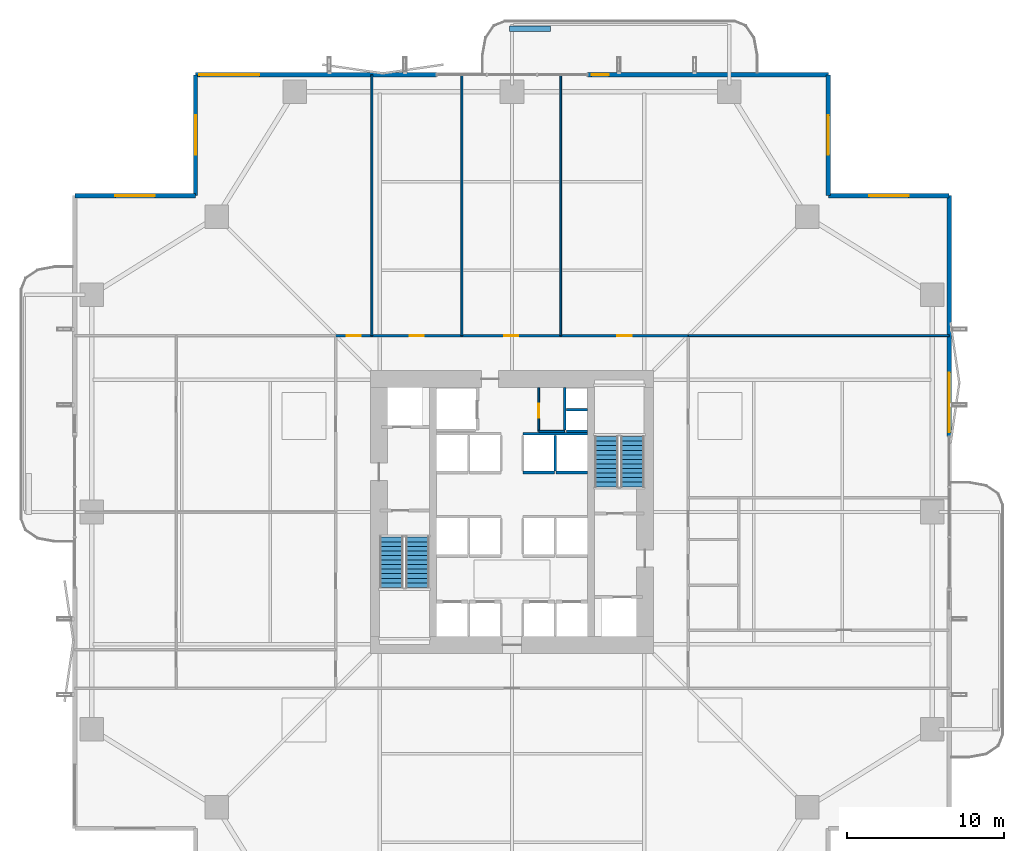
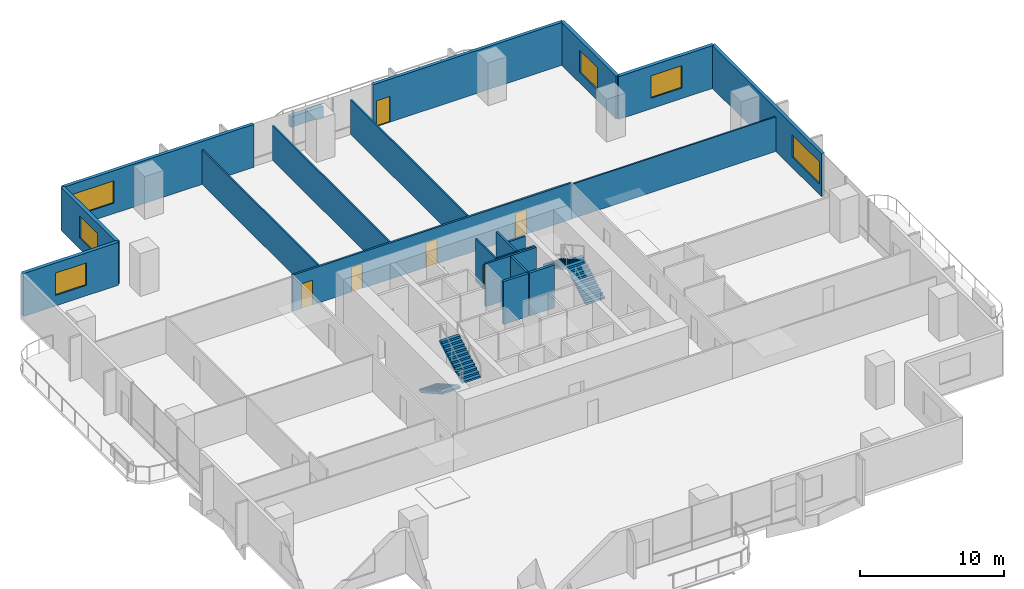
# One storey, part 19 of 23: 22 walls, 6 doors, 6 windows, 4 stair flights, 12 openings, 2 elements without a shape of their own.
"""IFC4 building model written with IfcOpenShell, lengths in metres."""

from ifc_helpers import new_model, si_unit, direction, frame, frame_2d, origin, place, context, subcontext, project, spatial, polyline, rectangle, outline, extrude, material, layer, layer_set, type_object, element, fill, aggregate, save


model = new_model("IFC4")

# Units and contexts
model_context = context("Model", 3, precision=1e-05, world=origin(), true_north=direction((0.0, 1.0)))
body_context = subcontext(model_context, "Body", "Model", "MODEL_VIEW")
ifc_project = project(units=[si_unit("LENGTHUNIT", "METRE"), si_unit("AREAUNIT", "SQUARE_METRE"), si_unit("VOLUMEUNIT", "CUBIC_METRE"), si_unit("PLANEANGLEUNIT", "RADIAN"), si_unit("MASSUNIT", "GRAM", prefix="KILO")], contexts=[model_context])

# Site, building, storey
site_placement = place(None, origin())
site = spatial("IfcSite", under=ifc_project, at=site_placement, CompositionType="ELEMENT")
building_placement = place(site_placement, origin())
building = spatial("IfcBuilding", under=site, at=building_placement, Name="Belovzor Exchange Tower", CompositionType="ELEMENT")
storey_placement = place(building_placement, frame((0.0, 0.0, 100.199951171875)))
storey = spatial("IfcBuildingStorey", under=building, at=storey_placement, Name="L24", CompositionType="ELEMENT", Elevation=100.199951171875)

# Walls
ifc_material_1 = material(Name="Acoustic Plasterboard on Galvanised Studs", Category="gypsum")
ifc_layer_1 = layer(ifc_material_1, 0.1201171875)
ifc_layer_set_1 = layer_set([ifc_layer_1], Name="Acoustic Plasterboard on Galvanised Studs")
wall_type_1 = type_object("IfcWallType", Name="Acoustic Double-Stud Partition Wall 120", PredefinedType="PARTITIONING", material=ifc_layer_set_1)
for number, where, z_axis, x_axis, name in (
    (1, (19.89990234375, 40.0, 0.0), (0.0, 0.0, 1.0), (0.0, 1.0, 0.0), "W-P120 Partition Wall W-L24-NDIV-1"),
    (2, (25.612060546875, 40.0, 0.0), (0.0, 0.0, 1.0), (0.0, 1.0, 0.0), "W-P120 Partition Wall W-L24-NDIV-2"),
    (3, (31.89697265625, 40.0, 0.0), (0.0, 0.0, 1.0), (0.0, 1.0, 0.0), "W-P120 Partition Wall W-L24-NDIV-3"),
    (4, (40.0, 40.0, 0.0), (0.0, 0.0, 1.0), (1.0, 0.0, 0.0), "W-P120 Partition Wall W-L24-END-NE"),
):
    element("IfcWall", number, at=place(storey_placement, frame(where, z_axis=z_axis, x_axis=x_axis)), inside=storey, type_object=wall_type_1, Name=name, PredefinedType="PARTITIONING", context=body_context, shape_type="SweptSolid", body=[
        extrude(rectangle(XDim=16.570068359375, YDim=0.1201171875, at=frame_2d((8.28515625, 0.0))), origin(), (0.0, 0.0, 1.0), 2.93505859375),
    ])

# Wall, opening, door
ifc_material_2 = material(Name="Fire-Rated Plasterboard on Galvanised Studs", Category="gypsum")
ifc_layer_2 = layer(ifc_material_2, 0.1201171875)
ifc_layer_set_2 = layer_set([ifc_layer_2], Name="Fire-Rated Plasterboard on Galvanised Studs")
wall_type_2 = type_object("IfcWallType", Name="Fire-Rated Double-Stud Partition Wall 120", PredefinedType="PARTITIONING", material=ifc_layer_set_2)
wall_1_placement = place(storey_placement, frame((30.5, 33.925048828125, 0.0), z_axis=(0.0, 0.0, 1.0), x_axis=(0.0, 1.0, 0.0)))
wall_1 = element("IfcWall", 5, at=wall_1_placement, inside=storey, type_object=wall_type_2, Name="W-P120F Partition Wall W-CRV-L24-W", PredefinedType="PARTITIONING", context=body_context, shape_type="SweptSolid", body=[
    extrude(rectangle(XDim=2.77490234375, YDim=0.1201171875, at=frame_2d((1.387451171875, 0.0))), origin(), (0.0, 0.0, 1.0), 3.650146484375),
])
opening_1_placement = place(wall_1_placement, frame((0.85009765625, 0.0, 0.0)))
opening_1 = element("IfcOpeningElement", 6, at=opening_1_placement, cuts=wall_1, Name="Opening D-FD60-090", PredefinedType="OPENING", context=body_context, shape_type="SweptSolid", body=[
    extrude(rectangle(XDim=0.89990234375, YDim=2.10009765625, at=frame_2d((0.449951171875, 1.050048828125))), frame((0.0, 0.070068359375, 0.0), z_axis=(0.0, -1.0, 0.0), x_axis=(1.0, 0.0, 0.0)), (0.0, 0.0, 1.0), 0.14013671875),
])
ifc_material_3 = material(Name="Acoustic Timber Fire Leaf", Category="wood")
door_type_1 = type_object("IfcDoorType", Name="Core Service & Restroom Fire Door 900x2100", OperationType="NOTDEFINED", PredefinedType="DOOR", material=ifc_material_3)
door_1_placement = place(opening_1_placement, origin())
door_1 = element("IfcDoor", 7, at=door_1_placement, inside=storey, type_object=door_type_1, Name="D-FD60-090 Core Service & Restroom Fire Door 900x2100", OperationType="SINGLE_SWING_LEFT", OverallHeight=2.10009765625, OverallWidth=0.89990234375, PredefinedType="DOOR", context=body_context, shape_type="SweptSolid", body=[
    extrude(rectangle(XDim=0.89990234375, YDim=2.10009765625, at=frame_2d((0.449951171875, 1.050048828125))), frame((0.0, 0.02490234375, 0.0), z_axis=(0.0, -1.0, 0.0), x_axis=(1.0, 0.0, 0.0)), (0.0, 0.0, 1.0), 0.050048828125),
])
fill(opening_1, door_1)

# Wall
wall_2_placement = place(storey_placement, frame((30.5, 33.925048828125, 0.0), z_axis=(0.0, 0.0, 1.0), x_axis=(1.0, 0.0, 0.0)))
element("IfcWall", 8, at=wall_2_placement, inside=storey, type_object=wall_type_2, Name="W-P120F Partition Wall W-CRV-L24-S", PredefinedType="PARTITIONING", context=body_context, shape_type="SweptSolid", body=[
    extrude(rectangle(XDim=1.64990234375, YDim=0.1201171875, at=frame_2d((0.824951171875, 0.0))), origin(), (0.0, 0.0, 1.0), 3.650146484375),
])

# Wall, openings, doors
ifc_material_4 = material(Name="Fire-Rated Gypsum Block and Mineral Wool", Category="gypsum")
ifc_layer_3 = layer(ifc_material_4, 0.14990234375)
ifc_layer_set_3 = layer_set([ifc_layer_3], Name="Fire-Rated Gypsum Block and Mineral Wool")
wall_type_3 = type_object("IfcWallType", Name="Fire-Rated Gypsum Block Corridor Wall 150", PredefinedType="PARTITIONING", material=ifc_layer_set_3)
wall_3_placement = place(storey_placement, frame((17.60009765625, 40.0, 0.0), z_axis=(0.0, 0.0, 1.0), x_axis=(1.0, 0.0, 0.0)))
wall_3 = element("IfcWall", 9, at=wall_3_placement, inside=storey, type_object=wall_type_3, Name="W-P150 Partition Wall W-L24-CN", PredefinedType="PARTITIONING", context=body_context, shape_type="SweptSolid", body=[
    extrude(rectangle(XDim=22.39990234375, YDim=0.14990234375, at=frame_2d((11.199951171875, 0.0))), origin(), (0.0, 0.0, 1.0), 3.0849609375),
])
opening_2_placement = place(wall_3_placement, frame((0.699951171875, 0.0, 0.0)))
opening_2 = element("IfcOpeningElement", 10, at=opening_2_placement, cuts=wall_3, Name="Opening D-INT-090", PredefinedType="OPENING", context=body_context, shape_type="SweptSolid", body=[
    extrude(rectangle(XDim=0.89990234375, YDim=2.10009765625, at=frame_2d((0.449951171875, 1.050048828125))), frame((0.0, 0.0849609375, 0.0), z_axis=(0.0, -1.0, 0.0), x_axis=(1.0, 0.0, 0.0)), (0.0, 0.0, 1.0), 0.169921875),
])
opening_3_placement = place(wall_3_placement, frame((4.7060546875, 0.0, 0.0)))
opening_3 = element("IfcOpeningElement", 11, at=opening_3_placement, cuts=wall_3, Name="Opening D-INT-090", PredefinedType="OPENING", context=body_context, shape_type="SweptSolid", body=[
    extrude(rectangle(XDim=0.89990234375, YDim=2.10009765625, at=frame_2d((0.449951171875, 1.050048828125))), frame((0.0, 0.0849609375, 0.0), z_axis=(0.0, -1.0, 0.0), x_axis=(1.0, 0.0, 0.0)), (0.0, 0.0, 1.0), 0.169921875),
])
opening_4_placement = place(wall_3_placement, frame((10.7041015625, 0.0, 0.0)))
opening_4 = element("IfcOpeningElement", 12, at=opening_4_placement, cuts=wall_3, Name="Opening D-INT-090", PredefinedType="OPENING", context=body_context, shape_type="SweptSolid", body=[
    extrude(rectangle(XDim=0.89990234375, YDim=2.10009765625, at=frame_2d((0.449951171875, 1.050048828125))), frame((0.0, 0.0849609375, 0.0), z_axis=(0.0, -1.0, 0.0), x_axis=(1.0, 0.0, 0.0)), (0.0, 0.0, 1.0), 0.169921875),
])
opening_5_placement = place(wall_3_placement, frame((17.89794921875, 0.0, 0.0)))
opening_5 = element("IfcOpeningElement", 13, at=opening_5_placement, cuts=wall_3, Name="Opening D-INT-090", PredefinedType="OPENING", context=body_context, shape_type="SweptSolid", body=[
    extrude(rectangle(XDim=0.89990234375, YDim=2.10009765625, at=frame_2d((0.449951171875, 1.050048828125))), frame((0.0, 0.0849609375, 0.0), z_axis=(0.0, -1.0, 0.0), x_axis=(1.0, 0.0, 0.0)), (0.0, 0.0, 1.0), 0.169921875),
])
ifc_material_5 = material(Name="Veneered Hardwood Acoustic Leaf", Category="wood")
door_type_2 = type_object("IfcDoorType", Name="Trading Suite Acoustic Single Door 900x2100", OperationType="NOTDEFINED", PredefinedType="DOOR", material=ifc_material_5)
door_2_placement = place(opening_2_placement, origin())
door_2 = element("IfcDoor", 14, at=door_2_placement, inside=storey, type_object=door_type_2, Name="D-INT-090 Trading Suite Acoustic Single Door 900x2100", OperationType="SINGLE_SWING_RIGHT", OverallHeight=2.10009765625, OverallWidth=0.89990234375, PredefinedType="DOOR", context=body_context, shape_type="SweptSolid", body=[
    extrude(rectangle(XDim=0.89990234375, YDim=2.10009765625, at=frame_2d((0.449951171875, 1.050048828125))), frame((0.0, 0.02490234375, 0.0), z_axis=(0.0, -1.0, 0.0), x_axis=(1.0, 0.0, 0.0)), (0.0, 0.0, 1.0), 0.050048828125),
])
fill(opening_2, door_2)
door_3_placement = place(opening_3_placement, origin())
door_3 = element("IfcDoor", 15, at=door_3_placement, inside=storey, type_object=door_type_2, Name="D-INT-090 Trading Suite Acoustic Single Door 900x2100", OperationType="SINGLE_SWING_LEFT", OverallHeight=2.10009765625, OverallWidth=0.89990234375, PredefinedType="DOOR", context=body_context, shape_type="SweptSolid", body=[
    extrude(rectangle(XDim=0.89990234375, YDim=2.10009765625, at=frame_2d((0.449951171875, 1.050048828125))), frame((0.0, 0.02490234375, 0.0), z_axis=(0.0, -1.0, 0.0), x_axis=(1.0, 0.0, 0.0)), (0.0, 0.0, 1.0), 0.050048828125),
])
fill(opening_3, door_3)
door_4_placement = place(opening_4_placement, origin())
door_4 = element("IfcDoor", 16, at=door_4_placement, inside=storey, type_object=door_type_2, Name="D-INT-090 Trading Suite Acoustic Single Door 900x2100", OperationType="SINGLE_SWING_RIGHT", OverallHeight=2.10009765625, OverallWidth=0.89990234375, PredefinedType="DOOR", context=body_context, shape_type="SweptSolid", body=[
    extrude(rectangle(XDim=0.89990234375, YDim=2.10009765625, at=frame_2d((0.449951171875, 1.050048828125))), frame((0.0, 0.02490234375, 0.0), z_axis=(0.0, -1.0, 0.0), x_axis=(1.0, 0.0, 0.0)), (0.0, 0.0, 1.0), 0.050048828125),
])
fill(opening_4, door_4)
door_5_placement = place(opening_5_placement, origin())
door_5 = element("IfcDoor", 17, at=door_5_placement, inside=storey, type_object=door_type_2, Name="D-INT-090 Trading Suite Acoustic Single Door 900x2100", OperationType="SINGLE_SWING_LEFT", OverallHeight=2.10009765625, OverallWidth=0.89990234375, PredefinedType="DOOR", context=body_context, shape_type="SweptSolid", body=[
    extrude(rectangle(XDim=0.89990234375, YDim=2.10009765625, at=frame_2d((0.449951171875, 1.050048828125))), frame((0.0, 0.02490234375, 0.0), z_axis=(0.0, -1.0, 0.0), x_axis=(1.0, 0.0, 0.0)), (0.0, 0.0, 1.0), 0.050048828125),
])
fill(opening_5, door_5)

# Wall, opening, window
ifc_material_6 = material(Name="Precast concrete C40/50", Category="concrete")
ifc_layer_4 = layer(ifc_material_6, 0.280029296875)
ifc_layer_set_4 = layer_set([ifc_layer_4], Name="Precast concrete C40/50")
wall_type_4 = type_object("IfcWallType", Name="Precast Concrete Notched Corner Frame Wall 280", PredefinedType="SOLIDWALL", material=ifc_layer_set_4)
wall_4_placement = place(storey_placement, frame((1.030029296875, 48.89990234375, 0.0), z_axis=(0.0, 0.0, 1.0), x_axis=(1.0, 0.0, 0.0)))
wall_4 = element("IfcWall", 18, at=wall_4_placement, inside=storey, type_object=wall_type_4, Name="W-CRN280 Precast Concrete Notched Corner Frame Wall 280 L24", PredefinedType="SOLIDWALL", context=body_context, shape_type="SweptSolid", body=[
    extrude(rectangle(XDim=7.669921875, YDim=0.280029296875, at=frame_2d((3.8349609375, 0.0))), origin(), (0.0, 0.0, 1.0), 3.650146484375),
])
opening_6_placement = place(wall_4_placement, frame((2.5849609375, 0.0, 0.89990234375)))
opening_6 = element("IfcOpeningElement", 19, at=opening_6_placement, cuts=wall_4, Name="Opening WN-CRN250", PredefinedType="OPENING", context=body_context, shape_type="SweptSolid", body=[
    extrude(rectangle(XDim=2.5, YDim=1.89990234375, at=frame_2d((1.25, 0.949951171875))), frame((0.0, 0.14990234375, 0.0), z_axis=(0.0, -1.0, 0.0), x_axis=(1.0, 0.0, 0.0)), (0.0, 0.0, 1.0), 0.300048828125),
])
ifc_material_7 = material(Name="Thermally Broken Aluminium and Triple Glazing", Category="aluminium")
window_type_1 = type_object("IfcWindowType", Name="Streamline Moderne Corner Wrap Ribbon Window 2500x1900", PartitioningType="SINGLE_PANEL", PredefinedType="WINDOW", material=ifc_material_7)
window_1_placement = place(opening_6_placement, origin())
window_1 = element("IfcWindow", 20, at=window_1_placement, inside=storey, type_object=window_type_1, Name="WN-CRN250 Streamline Moderne Corner Wrap Ribbon Window 2500x1900", OverallHeight=1.89990234375, OverallWidth=2.5, PartitioningType="SINGLE_PANEL", PredefinedType="WINDOW", context=body_context, shape_type="SweptSolid", body=[
    extrude(rectangle(XDim=2.5, YDim=1.89990234375, at=frame_2d((1.25, 0.949951171875))), frame((0.0, 0.030029296875, 0.0), z_axis=(0.0, -1.0, 0.0), x_axis=(1.0, 0.0, 0.0)), (0.0, 0.0, 1.0), 0.06005859375),
])
fill(opening_6, window_1)

wall_5_placement = place(storey_placement, frame((8.699951171875, 48.89990234375, 0.0), z_axis=(0.0, 0.0, 1.0), x_axis=(0.0, 1.0, 0.0)))
wall_5 = element("IfcWall", 21, at=wall_5_placement, inside=storey, type_object=wall_type_4, Name="W-CRN280 Precast Concrete Notched Corner Frame Wall 280 L24", PredefinedType="SOLIDWALL", context=body_context, shape_type="SweptSolid", body=[
    extrude(rectangle(XDim=7.670166015625, YDim=0.280029296875, at=frame_2d((3.8349609375, 0.0))), origin(), (0.0, 0.0, 1.0), 3.650146484375),
])
opening_7_placement = place(wall_5_placement, frame((2.5849609375, 0.0, 0.89990234375)))
opening_7 = element("IfcOpeningElement", 22, at=opening_7_placement, cuts=wall_5, Name="Opening WN-CRN250", PredefinedType="OPENING", context=body_context, shape_type="SweptSolid", body=[
    extrude(rectangle(XDim=2.5, YDim=1.89990234375, at=frame_2d((1.25, 0.949951171875))), frame((0.0, 0.14990234375, 0.0), z_axis=(0.0, -1.0, 0.0), x_axis=(1.0, 0.0, 0.0)), (0.0, 0.0, 1.0), 0.300048828125),
])
window_2_placement = place(opening_7_placement, origin())
window_2 = element("IfcWindow", 23, at=window_2_placement, inside=storey, type_object=window_type_1, Name="WN-CRN250 Streamline Moderne Corner Wrap Ribbon Window 2500x1900", OverallHeight=1.89990234375, OverallWidth=2.5, PartitioningType="SINGLE_PANEL", PredefinedType="WINDOW", context=body_context, shape_type="SweptSolid", body=[
    extrude(rectangle(XDim=2.5, YDim=1.89990234375, at=frame_2d((1.25, 0.949951171875))), frame((0.0, 0.030029296875, 0.0), z_axis=(0.0, -1.0, 0.0), x_axis=(1.0, 0.0, 0.0)), (0.0, 0.0, 1.0), 0.06005859375),
])
fill(opening_7, window_2)

wall_6_placement = place(storey_placement, frame((48.89990234375, 56.570068359375, 0.0), z_axis=(0.0, 0.0, 1.0), x_axis=(0.0, -1.0, 0.0)))
wall_6 = element("IfcWall", 24, at=wall_6_placement, inside=storey, type_object=wall_type_4, Name="W-CRN280 Precast Concrete Notched Corner Frame Wall 280 L24", PredefinedType="SOLIDWALL", context=body_context, shape_type="SweptSolid", body=[
    extrude(rectangle(XDim=7.670166015625, YDim=0.280029296875, at=frame_2d((3.8349609375, 0.0))), origin(), (0.0, 0.0, 1.0), 3.650146484375),
])
opening_8_placement = place(wall_6_placement, frame((2.5849609375, 0.0, 0.89990234375)))
opening_8 = element("IfcOpeningElement", 25, at=opening_8_placement, cuts=wall_6, Name="Opening WN-CRN250", PredefinedType="OPENING", context=body_context, shape_type="SweptSolid", body=[
    extrude(rectangle(XDim=2.5, YDim=1.89990234375, at=frame_2d((1.25, 0.949951171875))), frame((0.0, 0.14990234375, 0.0), z_axis=(0.0, -1.0, 0.0), x_axis=(1.0, 0.0, 0.0)), (0.0, 0.0, 1.0), 0.300048828125),
])
window_3_placement = place(opening_8_placement, origin())
window_3 = element("IfcWindow", 26, at=window_3_placement, inside=storey, type_object=window_type_1, Name="WN-CRN250 Streamline Moderne Corner Wrap Ribbon Window 2500x1900", OverallHeight=1.89990234375, OverallWidth=2.5, PartitioningType="SINGLE_PANEL", PredefinedType="WINDOW", context=body_context, shape_type="SweptSolid", body=[
    extrude(rectangle(XDim=2.5, YDim=1.89990234375, at=frame_2d((1.25, 0.949951171875))), frame((0.0, 0.030029296875, 0.0), z_axis=(0.0, -1.0, 0.0), x_axis=(1.0, 0.0, 0.0)), (0.0, 0.0, 1.0), 0.06005859375),
])
fill(opening_8, window_3)

wall_7_placement = place(storey_placement, frame((48.89990234375, 48.89990234375, 0.0), z_axis=(0.0, 0.0, 1.0), x_axis=(1.0, 0.0, 0.0)))
wall_7 = element("IfcWall", 27, at=wall_7_placement, inside=storey, type_object=wall_type_4, Name="W-CRN280 Precast Concrete Notched Corner Frame Wall 280 L24", PredefinedType="SOLIDWALL", context=body_context, shape_type="SweptSolid", body=[
    extrude(rectangle(XDim=7.670166015625, YDim=0.280029296875, at=frame_2d((3.8349609375, 0.0))), origin(), (0.0, 0.0, 1.0), 3.650146484375),
])
opening_9_placement = place(wall_7_placement, frame((2.5849609375, 0.0, 0.89990234375)))
opening_9 = element("IfcOpeningElement", 28, at=opening_9_placement, cuts=wall_7, Name="Opening WN-CRN250", PredefinedType="OPENING", context=body_context, shape_type="SweptSolid", body=[
    extrude(rectangle(XDim=2.5, YDim=1.89990234375, at=frame_2d((1.25, 0.949951171875))), frame((0.0, 0.14990234375, 0.0), z_axis=(0.0, -1.0, 0.0), x_axis=(1.0, 0.0, 0.0)), (0.0, 0.0, 1.0), 0.300048828125),
])
window_4_placement = place(opening_9_placement, origin())
window_4 = element("IfcWindow", 29, at=window_4_placement, inside=storey, type_object=window_type_1, Name="WN-CRN250 Streamline Moderne Corner Wrap Ribbon Window 2500x1900", OverallHeight=1.89990234375, OverallWidth=2.5, PartitioningType="SINGLE_PANEL", PredefinedType="WINDOW", context=body_context, shape_type="SweptSolid", body=[
    extrude(rectangle(XDim=2.5, YDim=1.89990234375, at=frame_2d((1.25, 0.949951171875))), frame((0.0, 0.030029296875, 0.0), z_axis=(0.0, -1.0, 0.0), x_axis=(1.0, 0.0, 0.0)), (0.0, 0.0, 1.0), 0.06005859375),
])
fill(opening_9, window_4)

ifc_material_8 = material(Name="Precast concrete C40/50", Category="concrete")
ifc_layer_5 = layer(ifc_material_8, 0.260009765625)
ifc_layer_set_5 = layer_set([ifc_layer_5], Name="Precast concrete C40/50")
wall_type_5 = type_object("IfcWallType", Name="Precast Concrete Perimeter Loggia Frame Wall 260", PredefinedType="SOLIDWALL", material=ifc_layer_set_5)
wall_8_placement = place(storey_placement, frame((8.699951171875, 56.570068359375, 0.0), z_axis=(0.0, 0.0, 1.0), x_axis=(1.0, 0.0, 0.0)))
wall_8 = element("IfcWall", 30, at=wall_8_placement, inside=storey, type_object=wall_type_5, Name="W-EXT260 Precast Concrete Perimeter Loggia Frame Wall 260 L24", PredefinedType="SOLIDWALL", context=body_context, shape_type="SweptSolid", body=[
    extrude(rectangle(XDim=15.300048828125, YDim=0.260009765625, at=frame_2d((7.64990234375, 0.0))), origin(), (0.0, 0.0, 1.0), 3.650146484375),
])
opening_10_placement = place(wall_8_placement, frame((0.25, 0.0, 0.89990234375)))
opening_10 = element("IfcOpeningElement", 31, at=opening_10_placement, cuts=wall_8, Name="Opening WN-RIB380", PredefinedType="OPENING", context=body_context, shape_type="SweptSolid", body=[
    extrude(rectangle(XDim=3.800048828125, YDim=1.89990234375, at=frame_2d((1.89990234375, 0.949951171875))), frame((0.0, 0.139892578125, 0.0), z_axis=(0.0, -1.0, 0.0), x_axis=(1.0, 0.0, 0.0)), (0.0, 0.0, 1.0), 0.280029296875),
])
ifc_material_9 = material(Name="Thermally Broken Aluminium and Triple Glazing", Category="aluminium")
window_type_2 = type_object("IfcWindowType", Name="Streamline Moderne Horizontal Ribbon Window 3800x1900", PartitioningType="SINGLE_PANEL", PredefinedType="WINDOW", material=ifc_material_9)
window_5_placement = place(opening_10_placement, origin())
window_5 = element("IfcWindow", 32, at=window_5_placement, inside=storey, type_object=window_type_2, Name="WN-RIB380 Streamline Moderne Horizontal Ribbon Window 3800x1900", OverallHeight=1.89990234375, OverallWidth=3.800048828125, PartitioningType="SINGLE_PANEL", PredefinedType="WINDOW", context=body_context, shape_type="SweptSolid", body=[
    extrude(rectangle(XDim=3.800048828125, YDim=1.89990234375, at=frame_2d((1.89990234375, 0.949951171875))), frame((0.0, 0.030029296875, 0.0), z_axis=(0.0, -1.0, 0.0), x_axis=(1.0, 0.0, 0.0)), (0.0, 0.0, 1.0), 0.06005859375),
])
fill(opening_10, window_5)

# Wall, opening, door
wall_9_placement = place(storey_placement, frame((33.60009765625, 56.570068359375, 0.0), z_axis=(0.0, 0.0, 1.0), x_axis=(1.0, 0.0, 0.0)))
wall_9 = element("IfcWall", 33, at=wall_9_placement, inside=storey, type_object=wall_type_5, Name="W-EXT260 Precast Concrete Perimeter Loggia Frame Wall 260 L24", PredefinedType="SOLIDWALL", context=body_context, shape_type="SweptSolid", body=[
    extrude(rectangle(XDim=15.2998046875, YDim=0.260009765625, at=frame_2d((7.64990234375, 0.0))), origin(), (0.0, 0.0, 1.0), 3.650146484375),
])
opening_11_placement = place(wall_9_placement, frame((0.25, 0.0, 0.0)))
opening_11 = element("IfcOpeningElement", 34, at=opening_11_placement, cuts=wall_9, Name="Opening D-BAL110", PredefinedType="OPENING", context=body_context, shape_type="SweptSolid", body=[
    extrude(rectangle(XDim=1.10009765625, YDim=2.199951171875, at=frame_2d((0.550048828125, 1.10009765625))), frame((0.0, 0.139892578125, 0.0), z_axis=(0.0, -1.0, 0.0), x_axis=(1.0, 0.0, 0.0)), (0.0, 0.0, 1.0), 0.280029296875),
])
ifc_material_10 = material(Name="Thermally Broken Anodised Aluminium and Laminated Glass", Category="aluminium")
door_type_3 = type_object("IfcDoorType", Name="Planted Loggia Terrace Glazed Door 1100x2200", OperationType="SINGLE_SWING_LEFT", PredefinedType="DOOR", material=ifc_material_10)
door_6_placement = place(opening_11_placement, origin())
door_6 = element("IfcDoor", 35, at=door_6_placement, inside=storey, type_object=door_type_3, Name="D-BAL110 Balcony Terrace Door L24 N", OperationType="SINGLE_SWING_RIGHT", OverallHeight=2.199951171875, OverallWidth=1.10009765625, PredefinedType="DOOR", context=body_context, shape_type="SweptSolid", body=[
    extrude(rectangle(XDim=1.10009765625, YDim=2.199951171875, at=frame_2d((0.550048828125, 1.10009765625))), frame((0.0, 0.02490234375, 0.0), z_axis=(0.0, -1.0, 0.0), x_axis=(1.0, 0.0, 0.0)), (0.0, 0.0, 1.0), 0.050048828125),
])
fill(opening_11, door_6)

# Wall, opening, window
wall_10_placement = place(storey_placement, frame((56.570068359375, 48.89990234375, 0.0), z_axis=(0.0, 0.0, 1.0), x_axis=(0.0, -1.0, 0.0)))
wall_10 = element("IfcWall", 36, at=wall_10_placement, inside=storey, type_object=wall_type_5, Name="W-EXT260 Precast Concrete Perimeter Loggia Frame Wall 260 L24", PredefinedType="SOLIDWALL", context=body_context, shape_type="SweptSolid", body=[
    extrude(rectangle(XDim=15.2998046875, YDim=0.260009765625, at=frame_2d((7.64990234375, 0.0))), origin(), (0.0, 0.0, 1.0), 3.650146484375),
])
opening_12_placement = place(wall_10_placement, frame((11.25, 0.0, 0.89990234375)))
opening_12 = element("IfcOpeningElement", 37, at=opening_12_placement, cuts=wall_10, Name="Opening WN-RIB380", PredefinedType="OPENING", context=body_context, shape_type="SweptSolid", body=[
    extrude(rectangle(XDim=3.800048828125, YDim=1.89990234375, at=frame_2d((1.89990234375, 0.949951171875))), frame((0.0, 0.139892578125, 0.0), z_axis=(0.0, -1.0, 0.0), x_axis=(1.0, 0.0, 0.0)), (0.0, 0.0, 1.0), 0.280029296875),
])
window_6_placement = place(opening_12_placement, origin())
window_6 = element("IfcWindow", 38, at=window_6_placement, inside=storey, type_object=window_type_2, Name="WN-RIB380 Streamline Moderne Horizontal Ribbon Window 3800x1900", OverallHeight=1.89990234375, OverallWidth=3.800048828125, PartitioningType="SINGLE_PANEL", PredefinedType="WINDOW", context=body_context, shape_type="SweptSolid", body=[
    extrude(rectangle(XDim=3.800048828125, YDim=1.89990234375, at=frame_2d((1.89990234375, 0.949951171875))), frame((0.0, 0.030029296875, 0.0), z_axis=(0.0, -1.0, 0.0), x_axis=(1.0, 0.0, 0.0)), (0.0, 0.0, 1.0), 0.06005859375),
])
fill(opening_12, window_6)

# Walls
ifc_material_11 = material(Name="Precast concrete C40/50", Category="concrete")
ifc_layer_6 = layer(ifc_material_11, 0.35009765625)
ifc_layer_set_6 = layer_set([ifc_layer_6], Name="Precast concrete C40/50")
wall_type_6 = type_object("IfcWallType", Name="Precast Concrete Structural Tree Planter Trough 350", PredefinedType="PARAPET", material=ifc_layer_set_6)
wall_11_placement = place(storey_placement, frame((28.64990234375, 59.5, 0.0), z_axis=(0.0, 0.0, 1.0), x_axis=(1.0, 0.0, 0.0)))
element("IfcWall", 39, at=wall_11_placement, inside=storey, type_object=wall_type_6, Name="PT-350 Precast Concrete Structural Tree Planter Trough 350 L24", PredefinedType="PARAPET", context=body_context, shape_type="SweptSolid", body=[
    extrude(rectangle(XDim=2.60009765625, YDim=0.35009765625, at=frame_2d((1.300048828125, 0.0))), origin(), (0.0, 0.0, 1.0), 0.900146484375),
])
ifc_material_12 = material(Name="Concrete C50/60", Category="concrete")
ifc_layer_7 = layer(ifc_material_12, 0.14990234375)
ifc_layer_set_7 = layer_set([ifc_layer_7], Name="Concrete C50/60")
wall_type_7 = type_object("IfcWallType", Name="Reinforced Concrete Core Riser Shear Wall 150", PredefinedType="SHEAR", material=ifc_layer_set_7)
wall_12_placement = place(storey_placement, frame((32.14990234375, 34.0, 0.0), z_axis=(0.0, 0.0, 1.0), x_axis=(0.0, 1.0, 0.0)))
element("IfcWall", 40, at=wall_12_placement, inside=storey, type_object=wall_type_7, Name="W-C150S Core Shaft Wall W-RSR-L24-E", PredefinedType="SHEAR", context=body_context, shape_type="SweptSolid", body=[
    extrude(rectangle(XDim=2.699951171875, YDim=0.14990234375, at=frame_2d((1.35009765625, 0.0))), origin(), (0.0, 0.0, 1.0), 3.650146484375),
])
for number, where, z_axis, x_axis, name in (
    (41, (32.25, 33.925048828125, 0.0), (0.0, 0.0, 1.0), (1.0, 0.0, 0.0), "W-C150S Core Shaft Wall W-RSR-L24-S"),
    (42, (32.25, 35.300048828125, 0.0), (0.0, 0.0, 1.0), (1.0, 0.0, 0.0), "W-C150S Core Shaft Wall W-RSR-L24-M"),
):
    element("IfcWall", number, at=place(storey_placement, frame(where, z_axis=z_axis, x_axis=x_axis)), inside=storey, type_object=wall_type_7, Name=name, PredefinedType="SHEAR", context=body_context, shape_type="SweptSolid", body=[
        extrude(rectangle(XDim=1.330078125, YDim=0.14990234375, at=frame_2d((0.6650390625, 0.0))), origin(), (0.0, 0.0, 1.0), 3.650146484375),
    ])
wall_13_placement = place(storey_placement, frame((29.5, 33.760009765625, 0.0), z_axis=(0.0, 0.0, 1.0), x_axis=(1.0, 0.0, 0.0)))
element("IfcWall", 43, at=wall_13_placement, inside=storey, type_object=wall_type_7, Name="W-C150S Core Shaft Wall W-SHB-L24-PLH-NE", PredefinedType="SHEAR", context=body_context, shape_type="SweptSolid", body=[
    extrude(rectangle(XDim=4.080078125, YDim=0.14990234375, at=frame_2d((2.0400390625, 0.0))), origin(), (0.0, 0.0, 1.0), 3.650146484375),
])
wall_14_placement = place(storey_placement, frame((31.550048828125, 31.419921875, 0.0), z_axis=(0.0, 0.0, 1.0), x_axis=(0.0, 1.0, 0.0)))
element("IfcWall", 44, at=wall_14_placement, inside=storey, type_object=wall_type_7, Name="W-C150S Core Shaft Wall W-SHD-L24-PLH-4", PredefinedType="SHEAR", context=body_context, shape_type="SweptSolid", body=[
    extrude(rectangle(XDim=2.239990234375, YDim=0.14990234375, at=frame_2d((1.1201171875, 0.0))), origin(), (0.0, 0.0, 1.0), 3.650146484375),
])
ifc_material_13 = material(Name="Concrete C50/60", Category="concrete")
ifc_layer_8 = layer(ifc_material_13, 0.199951171875)
ifc_layer_set_8 = layer_set([ifc_layer_8], Name="Concrete C50/60")
wall_type_8 = type_object("IfcWallType", Name="Reinforced Concrete Core Shaft Shear Wall 200", PredefinedType="SHEAR", material=ifc_layer_set_8)
for number, where, z_axis, x_axis, name in (
    (45, (29.5, 31.300048828125, 0.0), (0.0, 0.0, 1.0), (1.0, 0.0, 0.0), "W-C200S Core Shaft Wall W-SH-L24-PL-H3"),
    (46, (31.60009765625, 31.300048828125, 0.0), (0.0, 0.0, 1.0), (1.0, 0.0, 0.0), "W-C200S Core Shaft Wall W-SH-L24-PL-H4"),
):
    element("IfcWall", number, at=place(storey_placement, frame(where, z_axis=z_axis, x_axis=x_axis)), inside=storey, type_object=wall_type_8, Name=name, PredefinedType="SHEAR", context=body_context, shape_type="SweptSolid", body=[
        extrude(rectangle(XDim=2.0, YDim=0.199951171875, at=frame_2d((1.0, 0.0))), origin(), (0.0, 0.0, 1.0), 3.650146484375),
    ])

# Stair, stair flights
ifc_material_14 = material(Name="Concrete C40/50", Category="concrete")
stair_type = type_object("IfcStairType", Name="Reinforced Concrete Dogleg Escape Stair 1350", PredefinedType="HALF_TURN_STAIR", material=ifc_material_14)
stair_1_placement = place(storey_placement, origin())
stair_1 = element("IfcStair", 47, at=stair_1_placement, inside=storey, type_object=stair_type, Name="L24 ST-1", PredefinedType="HALF_TURN_STAIR")
ifc_material_15 = material(Name="Concrete C40/50", Category="concrete")
stair_flight_type = type_object("IfcStairFlightType", Name="Reinforced Concrete Stair Flight 1350", PredefinedType="STRAIGHT", material=ifc_material_15)
stair_flight_1_placement = place(storey_placement, frame((21.14990234375, 27.199951171875, 0.0), z_axis=(0.0, 0.0, 1.0), x_axis=(0.0, -1.0, 0.0)))
stair_flight_1 = element("IfcStairFlight", 48, at=stair_flight_1_placement, type_object=stair_flight_type, Name="ST-1 flight 1", NumberOfRisers=12, NumberOfTreads=11, PredefinedType="STRAIGHT", RiserHeight=0.1625, TreadLength=0.29, context=body_context, shape_type="SweptSolid", body=[
    extrude(outline(polyline([(0.0, 0.0), (0.0, 0.16259765625), (0.2900390625, 0.16259765625), (0.2900390625, 0.324951171875), (0.580078125, 0.324951171875), (0.580078125, 0.487548828125), (0.8701171875, 0.487548828125), (0.8701171875, 0.64990234375), (1.159912109375, 0.64990234375), (1.159912109375, 0.8125), (1.449951171875, 0.8125), (1.449951171875, 0.97509765625), (1.739990234375, 0.97509765625), (1.739990234375, 1.137451171875), (2.030029296875, 1.137451171875), (2.030029296875, 1.300048828125), (2.320068359375, 1.300048828125), (2.320068359375, 1.46240234375), (2.610107421875, 1.46240234375), (2.610107421875, 1.625), (2.89990234375, 1.625), (2.89990234375, 1.78759765625), (3.18994140625, 1.78759765625), (3.18994140625, 1.949951171875), (3.18994140625, 1.61572265625), (0.306640625, 0.0), (0.0, 0.0)])), frame((0.0, 0.75, 0.0), z_axis=(0.0, -1.0, 0.0), x_axis=(1.0, 0.0, 0.0)), (0.0, 0.0, 1.0), 1.5),
])
stair_flight_2_placement = place(storey_placement, frame((22.800048828125, 24.010009765625, 1.949951171875), z_axis=(0.0, 0.0, 1.0), x_axis=(0.0, 1.0, 0.0)))
stair_flight_2 = element("IfcStairFlight", 49, at=stair_flight_2_placement, type_object=stair_flight_type, Name="ST-1 flight 2", NumberOfRisers=12, NumberOfTreads=11, PredefinedType="STRAIGHT", RiserHeight=0.1625, TreadLength=0.29, context=body_context, shape_type="SweptSolid", body=[
    extrude(outline(polyline([(0.0, 0.0), (0.0, 0.16259765625), (0.2900390625, 0.16259765625), (0.2900390625, 0.324951171875), (0.580078125, 0.324951171875), (0.580078125, 0.487548828125), (0.8701171875, 0.487548828125), (0.8701171875, 0.64990234375), (1.159912109375, 0.64990234375), (1.159912109375, 0.8125), (1.449951171875, 0.8125), (1.449951171875, 0.97509765625), (1.739990234375, 0.97509765625), (1.739990234375, 1.137451171875), (2.030029296875, 1.137451171875), (2.030029296875, 1.300048828125), (2.320068359375, 1.300048828125), (2.320068359375, 1.46240234375), (2.610107421875, 1.46240234375), (2.610107421875, 1.625), (2.89990234375, 1.625), (2.89990234375, 1.78759765625), (3.18994140625, 1.78759765625), (3.18994140625, 1.949951171875), (3.18994140625, 1.61572265625), (0.306640625, 0.0), (0.0, 0.0)])), frame((0.0, 0.75, 0.0), z_axis=(0.0, -1.0, 0.0), x_axis=(1.0, 0.0, 0.0)), (0.0, 0.0, 1.0), 1.5),
])
aggregate(stair_1, [stair_flight_1, stair_flight_2])

stair_2_placement = place(storey_placement, origin())
stair_2 = element("IfcStair", 50, at=stair_2_placement, inside=storey, type_object=stair_type, Name="L24 ST-2", PredefinedType="HALF_TURN_STAIR")
stair_flight_3_placement = place(storey_placement, frame((36.449951171875, 30.39990234375, 0.0), z_axis=(0.0, 0.0, 1.0), x_axis=(0.0, 1.0, 0.0)))
stair_flight_3 = element("IfcStairFlight", 51, at=stair_flight_3_placement, type_object=stair_flight_type, Name="ST-2 flight 1", NumberOfRisers=12, NumberOfTreads=11, PredefinedType="STRAIGHT", RiserHeight=0.1625, TreadLength=0.29, context=body_context, shape_type="SweptSolid", body=[
    extrude(outline(polyline([(0.0, 0.0), (0.0, 0.16259765625), (0.2900390625, 0.16259765625), (0.2900390625, 0.324951171875), (0.580078125, 0.324951171875), (0.580078125, 0.487548828125), (0.8701171875, 0.487548828125), (0.8701171875, 0.64990234375), (1.159912109375, 0.64990234375), (1.159912109375, 0.8125), (1.449951171875, 0.8125), (1.449951171875, 0.97509765625), (1.739990234375, 0.97509765625), (1.739990234375, 1.137451171875), (2.030029296875, 1.137451171875), (2.030029296875, 1.300048828125), (2.320068359375, 1.300048828125), (2.320068359375, 1.46240234375), (2.610107421875, 1.46240234375), (2.610107421875, 1.625), (2.89990234375, 1.625), (2.89990234375, 1.78759765625), (3.18994140625, 1.78759765625), (3.18994140625, 1.949951171875), (3.18994140625, 1.61572265625), (0.306640625, 0.0), (0.0, 0.0)])), frame((0.0, 0.75, 0.0), z_axis=(0.0, -1.0, 0.0), x_axis=(1.0, 0.0, 0.0)), (0.0, 0.0, 1.0), 1.5),
])
stair_flight_4_placement = place(storey_placement, frame((34.800048828125, 33.590087890625, 1.949951171875), z_axis=(0.0, 0.0, 1.0), x_axis=(0.0, -1.0, 0.0)))
stair_flight_4 = element("IfcStairFlight", 52, at=stair_flight_4_placement, type_object=stair_flight_type, Name="ST-2 flight 2", NumberOfRisers=12, NumberOfTreads=11, PredefinedType="STRAIGHT", RiserHeight=0.1625, TreadLength=0.29, context=body_context, shape_type="SweptSolid", body=[
    extrude(outline(polyline([(0.0, 0.0), (0.0, 0.16259765625), (0.2900390625, 0.16259765625), (0.2900390625, 0.324951171875), (0.580078125, 0.324951171875), (0.580078125, 0.487548828125), (0.8701171875, 0.487548828125), (0.8701171875, 0.64990234375), (1.159912109375, 0.64990234375), (1.159912109375, 0.8125), (1.449951171875, 0.8125), (1.449951171875, 0.97509765625), (1.739990234375, 0.97509765625), (1.739990234375, 1.137451171875), (2.030029296875, 1.137451171875), (2.030029296875, 1.300048828125), (2.320068359375, 1.300048828125), (2.320068359375, 1.46240234375), (2.610107421875, 1.46240234375), (2.610107421875, 1.625), (2.89990234375, 1.625), (2.89990234375, 1.78759765625), (3.18994140625, 1.78759765625), (3.18994140625, 1.949951171875), (3.18994140625, 1.61572265625), (0.306640625, 0.0), (0.0, 0.0)])), frame((0.0, 0.75, 0.0), z_axis=(0.0, -1.0, 0.0), x_axis=(1.0, 0.0, 0.0)), (0.0, 0.0, 1.0), 1.5),
])
aggregate(stair_2, [stair_flight_3, stair_flight_4])

save(model, "model.ifc")
